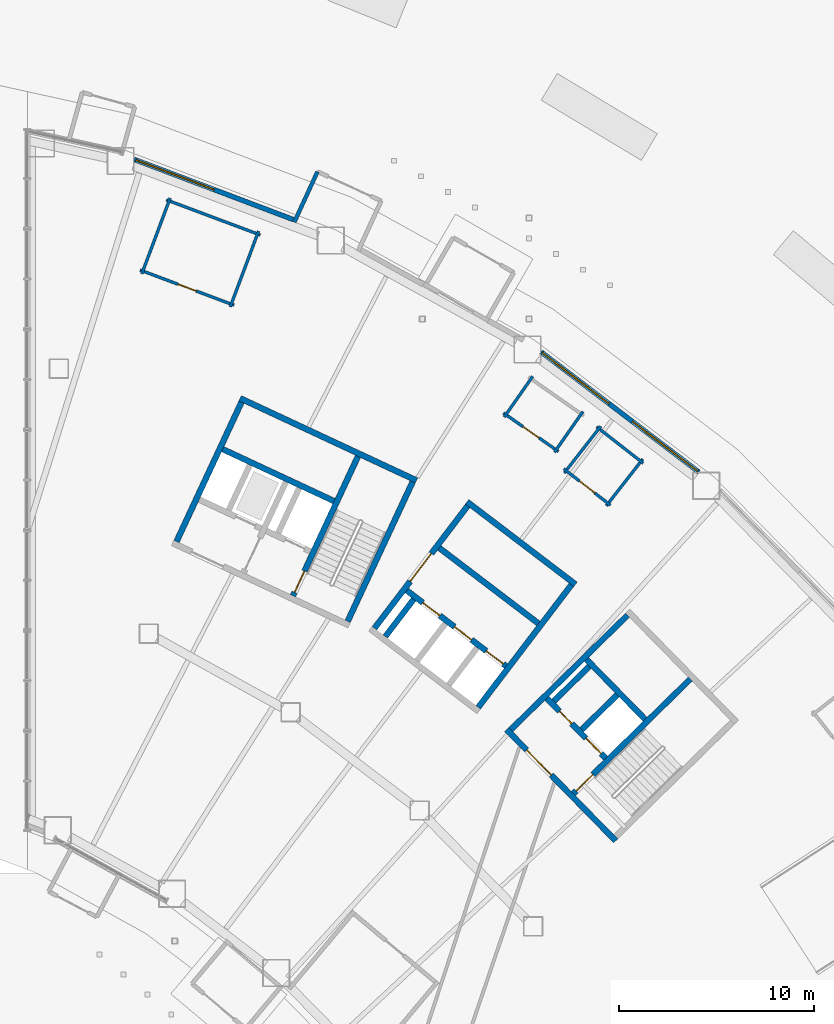
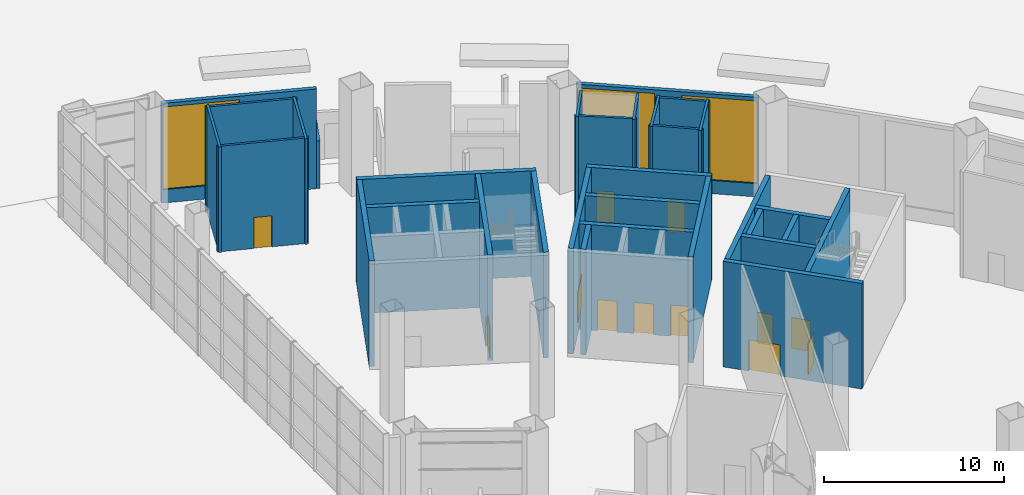
# One storey, part 34 of 45: 32 walls, 12 doors, 3 windows, 15 openings.
"""IFC4 building model written with IfcOpenShell, lengths in metres."""

import ifcopenshell
import ifcopenshell.guid

model = None  # the IFC model being written
_history = None  # IfcOwnerHistory: only IFC2X3 demands one
_inside = {}  # id of a spatial element -> (the spatial element, [elements in it])
_under = {}  # id of a project, library or spatial element -> (it, [spatial elements below it])
_declared = {}  # id of a project -> (the project, [libraries it declares])
_typed = {}  # id of a type object -> (the type object, [elements of that type])
_made_of = {}  # id of a material, layer set ... -> (it, [elements and type objects made of it])


def new_model(schema):
    """Start an empty IFC model of exactly this schema.

    Asked for "IFC4X3", IfcOpenShell would pick the latest addendum, in which some entities
    have other attributes; the version numbers below select the first issue.
    IFC2X3 requires an IfcOwnerHistory on every rooted entity: one is made here for all.
    """
    global model, _history
    if schema == "IFC4X3":
        model = ifcopenshell.file(schema_version=(4, 3, 0, 0))
    else:
        model = ifcopenshell.file(schema=schema)
    _inside.clear()
    _under.clear()
    _declared.clear()
    _typed.clear()
    _made_of.clear()
    _history = None
    if model.schema == "IFC2X3":
        org = make("IfcOrganization", Name="unknown")
        user = make(
            "IfcPersonAndOrganization",
            ThePerson=make("IfcPerson", FamilyName="unknown"),
            TheOrganization=org,
        )
        app = make(
            "IfcApplication",
            ApplicationDeveloper=org,
            Version="unknown",
            ApplicationFullName="unknown",
            ApplicationIdentifier="unknown",
        )
        _history = make(
            "IfcOwnerHistory",
            OwningUser=user,
            OwningApplication=app,
            ChangeAction="ADDED",
            CreationDate=0,
        )
    return model


def make(cls, **values):
    """One entity of the class cls with the attributes given. An attribute that is None is left unset."""
    return model.create_entity(
        cls, **{name: value for name, value in values.items() if value is not None}
    )


def rooted(cls, **values):
    """An entity with a GlobalId (a new one), such as an element, a storey or a relation."""
    return make(cls, GlobalId=ifcopenshell.guid.new(), OwnerHistory=_history, **values)


def si_unit(unit_type, name, prefix=None):
    """IfcSIUnit, for example si_unit("LENGTHUNIT", "METRE", prefix="MILLI")."""
    return make("IfcSIUnit", UnitType=unit_type, Prefix=prefix, Name=name)


def assignment(units):
    """IfcUnitAssignment: the units of a project."""
    return None if units is None else make("IfcUnitAssignment", Units=units)


def point(xyz):
    """IfcCartesianPoint."""
    return None if xyz is None else make("IfcCartesianPoint", Coordinates=xyz)


def direction(xyz):
    """IfcDirection."""
    return None if xyz is None else make("IfcDirection", DirectionRatios=xyz)


def frame(location, z_axis=None, x_axis=None):
    """IfcAxis2Placement3D, a coordinate frame: its origin and axes. An axis left out is left unset."""
    return make(
        "IfcAxis2Placement3D",
        Location=point(location),
        Axis=direction(z_axis),
        RefDirection=direction(x_axis),
    )


def frame_2d(location, x_axis=None):
    """IfcAxis2Placement2D, a coordinate frame in the plane: its origin and x axis."""
    return make(
        "IfcAxis2Placement2D", Location=point(location), RefDirection=direction(x_axis)
    )


def origin():
    """The frame at (0, 0, 0) with its axes left unset."""
    return frame((0.0, 0.0, 0.0))


def place(relative_to, where):
    """IfcLocalPlacement: puts the frame where relative to a parent placement (None: the world)."""
    return make(
        "IfcLocalPlacement", PlacementRelTo=relative_to, RelativePlacement=where
    )


def context(
    kind, dimensions, precision=None, world=None, true_north=None, identifier=None
):
    """IfcGeometricRepresentationContext, for example the 3D "Model" context."""
    return make(
        "IfcGeometricRepresentationContext",
        ContextIdentifier=identifier,
        ContextType=kind,
        CoordinateSpaceDimension=dimensions,
        Precision=precision,
        WorldCoordinateSystem=world,
        TrueNorth=true_north,
    )


def subcontext(parent, identifier, kind, view, scale=None):
    """IfcGeometricRepresentationSubContext, for example "Body" below "Model"."""
    return make(
        "IfcGeometricRepresentationSubContext",
        ContextIdentifier=identifier,
        ContextType=kind,
        ParentContext=parent,
        TargetScale=scale,
        TargetView=view,
    )


def project(units=None, contexts=None):
    """IfcProject with its units and contexts."""
    return rooted(
        "IfcProject",
        Name="project",
        RepresentationContexts=contexts,
        UnitsInContext=assignment(units),
    )


def spatial(cls, under=None, at=None, **own):
    """A site, building, storey or space (cls), placed at a placement, below another one or the project."""
    s = rooted(cls, ObjectPlacement=at, **own)
    if under is not None:
        _under.setdefault(under.id(), (under, []))[1].append(s)
    return s


def profile(cls, at=None, kind="AREA", **sizes):
    """A parametric profile (cls). Its sizes go by their IFC names, for example OverallWidth=200.0."""
    return make(cls, ProfileType=kind, Position=at, **sizes)


def rectangle(**sizes):
    """IfcRectangleProfileDef."""
    return profile("IfcRectangleProfileDef", **sizes)


def extrude(swept, where, along, depth):
    """IfcExtrudedAreaSolid: the profile swept, set in the frame where, extruded along a direction by depth."""
    return make(
        "IfcExtrudedAreaSolid",
        SweptArea=swept,
        Position=where,
        ExtrudedDirection=direction(along),
        Depth=depth,
    )


def shape(context_of_items, identifier, shape_type, items):
    """IfcShapeRepresentation: the items that make up one representation, for example the "Body"."""
    return make(
        "IfcShapeRepresentation",
        ContextOfItems=context_of_items,
        RepresentationIdentifier=identifier,
        RepresentationType=shape_type,
        Items=items,
    )


def material(Name=None, Category=None):
    """IfcMaterial."""
    return make("IfcMaterial", Name=Name, Category=Category)


def layer(
    of_material, thickness, ventilated=None, Name=None, Category=None, Priority=None
):
    """IfcMaterialLayer: one layer of a wall or slab, of a material (None: an air gap)."""
    return make(
        "IfcMaterialLayer",
        Material=of_material,
        LayerThickness=thickness,
        IsVentilated=ventilated,
        Name=Name,
        Category=Category,
        Priority=Priority,
    )


def layer_set(layers, Name=None):
    """IfcMaterialLayerSet."""
    return make("IfcMaterialLayerSet", MaterialLayers=layers, LayerSetName=Name)


def made_of(thing, what):
    """Note that an element or type object is made of a material, layer set ...; save() writes the relation."""
    if what is not None:
        _made_of.setdefault(what.id(), (what, []))[1].append(thing)
    return thing


def type_object(cls, material=None, **own):
    """A type object (cls), such as IfcWallType, which elements share."""
    return made_of(rooted(cls, **own), material)


def element(
    cls,
    number,
    at=None,
    inside=None,
    cuts=None,
    type_object=None,
    material=None,
    context=None,
    identifier="Body",
    shape_type=None,
    held_by="IfcProductDefinitionShape",
    body=None,
    shapes=None,
    **own,
):
    """One element of the class cls, such as IfcWall. Its Tag is "e" and its number.

    at: its placement. inside: the storey or other place that contains it. cuts: it is an
    opening in that element (IfcRelVoidsElement). A single representation is given by context,
    identifier, shape_type and body (its items); several are given by shapes. held_by: the class
    of the entity that holds the representations. save() writes the other relations.
    """
    e = rooted(cls, Tag="e%d" % number, ObjectPlacement=at, **own)
    if body is not None:
        shapes = [shape(context, identifier, shape_type, body)]
    if shapes is not None:
        e.Representation = make(held_by, Representations=shapes)
    if inside is not None:
        _inside.setdefault(inside.id(), (inside, []))[1].append(e)
    if cuts is not None:
        rooted(
            "IfcRelVoidsElement", RelatingBuildingElement=cuts, RelatedOpeningElement=e
        )
    if type_object is not None:
        _typed.setdefault(type_object.id(), (type_object, []))[1].append(e)
    return made_of(e, material)


def fill(opening, filler):
    """IfcRelFillsElement: the door or window that sits in an opening."""
    return rooted(
        "IfcRelFillsElement",
        RelatingOpeningElement=opening,
        RelatedBuildingElement=filler,
    )


def aggregate(whole, parts):
    """IfcRelAggregates: a whole, such as a stair, and the parts it consists of."""
    return rooted("IfcRelAggregates", RelatingObject=whole, RelatedObjects=parts)


def save(model, path):
    """Write the relations noted so far, then the file.

    IfcRelAggregates (storeys below a building ...), IfcRelContainedInSpatialStructure (elements
    in a storey), IfcRelDefinesByType, IfcRelAssociatesMaterial and IfcRelDeclares: one each for
    every whole, place, type object, material and project.
    """
    for whole, parts in _under.values():
        aggregate(whole, parts)
    for where, things in _inside.values():
        rooted(
            "IfcRelContainedInSpatialStructure",
            RelatedElements=things,
            RelatingStructure=where,
        )
    for kind, things in _typed.values():
        rooted("IfcRelDefinesByType", RelatedObjects=things, RelatingType=kind)
    for what, things in _made_of.values():
        rooted("IfcRelAssociatesMaterial", RelatedObjects=things, RelatingMaterial=what)
    for by, libraries in _declared.values():
        rooted("IfcRelDeclares", RelatingContext=by, RelatedDefinitions=libraries)
    model.write(path)


model = new_model("IFC4")

# Units and contexts
model_context = context("Model", 3, precision=1e-05, world=origin(), true_north=direction((0.0, 1.0)))
body_context = subcontext(model_context, "Body", "Model", "MODEL_VIEW")
ifc_project = project(units=[si_unit("LENGTHUNIT", "METRE"), si_unit("AREAUNIT", "SQUARE_METRE"), si_unit("VOLUMEUNIT", "CUBIC_METRE"), si_unit("PLANEANGLEUNIT", "RADIAN"), si_unit("MASSUNIT", "GRAM", prefix="KILO")], contexts=[model_context])

# Site, building, storey
site_placement = place(None, origin())
site = spatial("IfcSite", under=ifc_project, at=site_placement, CompositionType="ELEMENT")
building_placement = place(site_placement, origin())
building = spatial("IfcBuilding", under=site, at=building_placement, Name="Tuul Gate Civic Tower", CompositionType="ELEMENT")
storey_placement = place(building_placement, origin())
storey = spatial("IfcBuildingStorey", under=building, at=storey_placement, Name="Level 00", CompositionType="ELEMENT", Elevation=0.0)

# Wall, opening, door
ifc_material_1 = material(Name="Concrete C50/60", Category="concrete")
ifc_layer_1 = layer(ifc_material_1, 0.300048828125)
ifc_layer_set_1 = layer_set([ifc_layer_1], Name="Concrete C50/60")
wall_type_1 = type_object("IfcWallType", Name="Core wall C50/60", PredefinedType="SHEAR", material=ifc_layer_set_1)
wall_1_placement = place(storey_placement, frame((48.22509765625, -18.327880859375, 0.0), z_axis=(0.0, 0.0, 1.0), x_axis=(-0.700021979774, 0.714121297703, 0.0)))
wall_1 = element("IfcWall", 1, at=wall_1_placement, inside=storey, type_object=wall_type_1, Name="Core wall", PredefinedType="SHEAR", context=body_context, shape_type="SweptSolid", body=[
    extrude(rectangle(XDim=8.0, YDim=0.300048828125, at=frame_2d((4.0, 0.0))), origin(), (0.0, 0.0, 1.0), 7.14990234375),
])
opening_1_placement = place(wall_1_placement, frame((4.72509765625, 0.0, 0.0)))
opening_1 = element("IfcOpeningElement", 2, at=opening_1_placement, cuts=wall_1, Name="Opening LB-E1-LOBBY-1", PredefinedType="OPENING", context=body_context, shape_type="SweptSolid", body=[
    extrude(rectangle(XDim=1.800048828125, YDim=2.10009765625, at=frame_2d((0.89990234375, 1.050048828125))), frame((0.0, 0.16015625, 0.0), z_axis=(0.0, -1.0, 0.0), x_axis=(1.0, 0.0, 0.0)), (0.0, 0.0, 1.0), 0.320068359375),
])
ifc_material_2 = material(Name="Steel", Category="steel")
door_type_1 = type_object("IfcDoorType", Name="Lobby door", OperationType="DOUBLE_DOOR_SINGLE_SWING", PredefinedType="DOOR", material=ifc_material_2)
door_1_placement = place(opening_1_placement, origin())
door_1 = element("IfcDoor", 3, at=door_1_placement, inside=storey, type_object=door_type_1, Name="Lobby door E1-LOBBY", OperationType="DOUBLE_DOOR_SINGLE_SWING", OverallHeight=2.10009765625, OverallWidth=1.800048828125, PredefinedType="DOOR", context=body_context, shape_type="SweptSolid", body=[
    extrude(rectangle(XDim=1.800048828125, YDim=2.10009765625, at=frame_2d((0.89990234375, 1.050048828125))), frame((0.0, 0.02490234375, 0.0), z_axis=(0.0, -1.0, 0.0), x_axis=(1.0, 0.0, 0.0)), (0.0, 0.0, 1.0), 0.050048828125),
])
fill(opening_1, door_1)

# Wall, openings, doors
wall_2_placement = place(storey_placement, frame((47.701904296875, -14.079833984375, 0.0), z_axis=(0.0, 0.0, 1.0), x_axis=(-0.700002721075, 0.714140175657, 0.0)))
wall_2 = element("IfcWall", 4, at=wall_2_placement, inside=storey, type_object=wall_type_1, Name="Core wall", PredefinedType="SHEAR", context=body_context, shape_type="SweptSolid", body=[
    extrude(rectangle(XDim=4.300048828125, YDim=0.300048828125, at=frame_2d((2.14990234375, 0.0))), origin(), (0.0, 0.0, 1.0), 7.14990234375),
])
opening_2_placement = place(wall_2_placement, frame((0.324951171875, 0.0, 0.0)))
opening_2 = element("IfcOpeningElement", 5, at=opening_2_placement, cuts=wall_2, Name="Opening LD-L4", PredefinedType="OPENING", context=body_context, shape_type="SweptSolid", body=[
    extrude(rectangle(XDim=1.10009765625, YDim=2.10009765625, at=frame_2d((0.550048828125, 1.050048828125))), frame((0.0, 0.16015625, 0.0), z_axis=(0.0, -1.0, 0.0), x_axis=(1.0, 0.0, 0.0)), (0.0, 0.0, 1.0), 0.320068359375),
])
opening_3_placement = place(wall_2_placement, frame((2.47509765625, 0.0, 0.0)))
opening_3 = element("IfcOpeningElement", 6, at=opening_3_placement, cuts=wall_2, Name="Opening FB-E1A2", PredefinedType="OPENING", context=body_context, shape_type="SweptSolid", body=[
    extrude(rectangle(XDim=0.89990234375, YDim=2.10009765625, at=frame_2d((0.449951171875, 1.050048828125))), frame((0.0, 0.16015625, 0.0), z_axis=(0.0, -1.0, 0.0), x_axis=(1.0, 0.0, 0.0)), (0.0, 0.0, 1.0), 0.320068359375),
])
ifc_material_3 = material(Name="Stainless steel", Category="steel")
door_type_2 = type_object("IfcDoorType", Name="Landing door", OperationType="DOUBLE_DOOR_SLIDING", PredefinedType="DOOR", material=ifc_material_3)
door_2_placement = place(opening_2_placement, origin())
door_2 = element("IfcDoor", 7, at=door_2_placement, inside=storey, type_object=door_type_2, Name="Low-rise lift L4 landing door", OperationType="DOUBLE_DOOR_SLIDING", OverallHeight=2.10009765625, OverallWidth=1.10009765625, PredefinedType="DOOR", context=body_context, shape_type="SweptSolid", body=[
    extrude(rectangle(XDim=1.10009765625, YDim=2.10009765625, at=frame_2d((0.550048828125, 1.050048828125))), frame((0.0, 0.02490234375, 0.0), z_axis=(0.0, -1.0, 0.0), x_axis=(1.0, 0.0, 0.0)), (0.0, 0.0, 1.0), 0.050048828125),
])
fill(opening_2, door_2)
ifc_material_4 = material(Name="Steel", Category="steel")
door_type_3 = type_object("IfcDoorType", Name="Store door", OperationType="NOTDEFINED", PredefinedType="DOOR", material=ifc_material_4)
door_3_placement = place(opening_3_placement, frame((0.89990234375, 0.0, 0.0), z_axis=(0.0, 0.0, 1.0), x_axis=(-1.0, 0.0, 0.0)))
door_3 = element("IfcDoor", 8, at=door_3_placement, inside=storey, type_object=door_type_3, Name="Store door E1A2", OperationType="SINGLE_SWING_LEFT", OverallHeight=2.10009765625, OverallWidth=0.89990234375, PredefinedType="DOOR", context=body_context, shape_type="SweptSolid", body=[
    extrude(rectangle(XDim=0.89990234375, YDim=2.10009765625, at=frame_2d((0.449951171875, 1.050048828125))), frame((0.0, 0.02490234375, 0.0), z_axis=(0.0, -1.0, 0.0), x_axis=(1.0, 0.0, 0.0)), (0.0, 0.0, 1.0), 0.050048828125),
])
fill(opening_3, door_3)

# Wall
wall_3_placement = place(storey_placement, frame((49.737060546875, -12.0849609375, 0.0), z_axis=(0.0, 0.0, 1.0), x_axis=(-0.700002721075, 0.714140175657, 0.0)))
element("IfcWall", 9, at=wall_3_placement, inside=storey, type_object=wall_type_1, Name="Core wall", PredefinedType="SHEAR", context=body_context, shape_type="SweptSolid", body=[
    extrude(rectangle(XDim=4.300048828125, YDim=0.300048828125, at=frame_2d((2.14990234375, 0.0))), origin(), (0.0, 0.0, 1.0), 7.14990234375),
])

# Wall, opening, door
wall_4_placement = place(storey_placement, frame((46.05712890625, -15.902099609375, 0.0), z_axis=(0.0, 0.0, 1.0), x_axis=(0.714134086973, 0.700008932674, 0.0)))
wall_4 = element("IfcWall", 10, at=wall_4_placement, inside=storey, type_object=wall_type_1, Name="Core wall", PredefinedType="SHEAR", context=body_context, shape_type="SweptSolid", body=[
    extrude(rectangle(XDim=8.400146484375, YDim=0.300048828125, at=frame_2d((4.2001953125, 0.0))), origin(), (0.0, 0.0, 1.0), 7.14990234375),
])
opening_4_placement = place(wall_4_placement, frame((0.199951171875, 0.0, 0.0)))
opening_4 = element("IfcOpeningElement", 11, at=opening_4_placement, cuts=wall_4, Name="Opening SD-ST-3", PredefinedType="OPENING", context=body_context, shape_type="SweptSolid", body=[
    extrude(rectangle(XDim=1.199951171875, YDim=2.10009765625, at=frame_2d((0.60009765625, 1.050048828125))), frame((0.0, 0.16015625, 0.0), z_axis=(0.0, -1.0, 0.0), x_axis=(1.0, 0.0, 0.0)), (0.0, 0.0, 1.0), 0.320068359375),
])
ifc_material_5 = material(Name="Steel", Category="steel")
door_type_4 = type_object("IfcDoorType", Name="Stair door", OperationType="NOTDEFINED", PredefinedType="DOOR", material=ifc_material_5)
door_4_placement = place(opening_4_placement, origin())
door_4 = element("IfcDoor", 12, at=door_4_placement, inside=storey, type_object=door_type_4, Name="Stair door ST-3", OperationType="SINGLE_SWING_LEFT", OverallHeight=2.10009765625, OverallWidth=1.199951171875, PredefinedType="DOOR", context=body_context, shape_type="SweptSolid", body=[
    extrude(rectangle(XDim=1.199951171875, YDim=2.10009765625, at=frame_2d((0.60009765625, 1.050048828125))), frame((0.0, 0.02490234375, 0.0), z_axis=(0.0, -1.0, 0.0), x_axis=(1.0, 0.0, 0.0)), (0.0, 0.0, 1.0), 0.050048828125),
])
fill(opening_4, door_4)

# Walls
wall_5_placement = place(storey_placement, frame((46.47900390625, -12.617919921875, 0.0), z_axis=(0.0, 0.0, 1.0), x_axis=(0.71410944159, 0.700034074479, 0.0)))
element("IfcWall", 13, at=wall_5_placement, inside=storey, type_object=wall_type_1, Name="Core wall", PredefinedType="SHEAR", context=body_context, shape_type="SweptSolid", body=[
    extrude(rectangle(XDim=2.5498046875, YDim=0.300048828125, at=frame_2d((1.27490234375, 0.0))), origin(), (0.0, 0.0, 1.0), 7.14990234375),
])
wall_6_placement = place(storey_placement, frame((45.0439453125, -11.154052734375, 0.0), z_axis=(0.0, 0.0, 1.0), x_axis=(0.714108498262, 0.700035036773, 0.0)))
element("IfcWall", 14, at=wall_6_placement, inside=storey, type_object=wall_type_1, Name="Core wall", PredefinedType="SHEAR", context=body_context, shape_type="SweptSolid", body=[
    extrude(rectangle(XDim=2.550048828125, YDim=0.300048828125, at=frame_2d((1.27490234375, 0.0))), origin(), (0.0, 0.0, 1.0), 7.14990234375),
])
wall_7_placement = place(storey_placement, frame((42.837158203125, -12.616943359375, 0.0), z_axis=(0.0, 0.0, 1.0), x_axis=(0.714119844755, 0.700023461983, 0.0)))
element("IfcWall", 15, at=wall_7_placement, inside=storey, type_object=wall_type_1, Name="Core wall", PredefinedType="SHEAR", context=body_context, shape_type="SweptSolid", body=[
    extrude(rectangle(XDim=8.39990234375, YDim=0.300048828125, at=frame_2d((4.199951171875, 0.0))), origin(), (0.0, 0.0, 1.0), 7.14990234375),
])
wall_8_placement = place(storey_placement, frame((33.75, -0.873779296875, 0.0), z_axis=(0.0, 0.0, 1.0), x_axis=(-0.906300917592, 0.422632992999, 0.0)))
element("IfcWall", 16, at=wall_8_placement, inside=storey, type_object=wall_type_1, Name="Core wall", PredefinedType="SHEAR", context=body_context, shape_type="SweptSolid", body=[
    extrude(rectangle(XDim=6.300048828125, YDim=0.300048828125, at=frame_2d((3.14990234375, 0.0))), origin(), (0.0, 0.0, 1.0), 7.14990234375),
])
wall_9_placement = place(storey_placement, frame((37.993408203125, 0.181884765625, 0.0), z_axis=(0.0, 0.0, 1.0), x_axis=(-0.906310338845, 0.422612789327, 0.0)))
element("IfcWall", 17, at=wall_9_placement, inside=storey, type_object=wall_type_1, Name="Core wall", PredefinedType="SHEAR", context=body_context, shape_type="SweptSolid", body=[
    extrude(rectangle(XDim=9.999755859375, YDim=0.300048828125, at=frame_2d((5.0, 0.0))), origin(), (0.0, 0.0, 1.0), 7.14990234375),
])
wall_10_placement = place(storey_placement, frame((34.455810546875, -7.05078125, 0.0), z_axis=(0.0, 0.0, 1.0), x_axis=(0.422570768258, 0.906329932096, 0.0)))
element("IfcWall", 18, at=wall_10_placement, inside=storey, type_object=wall_type_1, Name="Core wall", PredefinedType="SHEAR", context=body_context, shape_type="SweptSolid", body=[
    extrude(rectangle(XDim=7.900146484375, YDim=0.300048828125, at=frame_2d((3.9501953125, 0.0))), origin(), (0.0, 0.0, 1.0), 7.14990234375),
])

# Wall, opening, door
wall_11_placement = place(storey_placement, frame((31.646240234375, -5.740478515625, 0.0), z_axis=(0.0, 0.0, 1.0), x_axis=(0.422582604137, 0.906324413596, 0.0)))
wall_11 = element("IfcWall", 19, at=wall_11_placement, inside=storey, type_object=wall_type_1, Name="Core wall", PredefinedType="SHEAR", context=body_context, shape_type="SweptSolid", body=[
    extrude(rectangle(XDim=7.89990234375, YDim=0.300048828125, at=frame_2d((3.949951171875, 0.0))), origin(), (0.0, 0.0, 1.0), 7.14990234375),
])
opening_5_placement = place(wall_11_placement, frame((0.199951171875, 0.0, 0.0)))
opening_5 = element("IfcOpeningElement", 20, at=opening_5_placement, cuts=wall_11, Name="Opening SD-ST-4", PredefinedType="OPENING", context=body_context, shape_type="SweptSolid", body=[
    extrude(rectangle(XDim=1.199951171875, YDim=2.10009765625, at=frame_2d((0.60009765625, 1.050048828125))), frame((0.0, 0.16015625, 0.0), z_axis=(0.0, -1.0, 0.0), x_axis=(1.0, 0.0, 0.0)), (0.0, 0.0, 1.0), 0.320068359375),
])
door_5_placement = place(opening_5_placement, origin())
door_5 = element("IfcDoor", 21, at=door_5_placement, inside=storey, type_object=door_type_4, Name="Stair door ST-4", OperationType="SINGLE_SWING_LEFT", OverallHeight=2.10009765625, OverallWidth=1.199951171875, PredefinedType="DOOR", context=body_context, shape_type="SweptSolid", body=[
    extrude(rectangle(XDim=1.199951171875, YDim=2.10009765625, at=frame_2d((0.60009765625, 1.050048828125))), frame((0.0, 0.02490234375, 0.0), z_axis=(0.0, -1.0, 0.0), x_axis=(1.0, 0.0, 0.0)), (0.0, 0.0, 1.0), 0.050048828125),
])
fill(opening_5, door_5)

# Walls
wall_12_placement = place(storey_placement, frame((25.66455078125, -2.951416015625, 0.0), z_axis=(0.0, 0.0, 1.0), x_axis=(0.422582604137, 0.906324413596, 0.0)))
element("IfcWall", 22, at=wall_12_placement, inside=storey, type_object=wall_type_1, Name="Core wall", PredefinedType="SHEAR", context=body_context, shape_type="SweptSolid", body=[
    extrude(rectangle(XDim=7.89990234375, YDim=0.300048828125, at=frame_2d((3.949951171875, 0.0))), origin(), (0.0, 0.0, 1.0), 7.14990234375),
])
ifc_material_6 = material(Name="Fire-rated glazed steel S355", Category="steel")
ifc_layer_2 = layer(ifc_material_6, 0.199951171875)
ifc_layer_set_2 = layer_set([ifc_layer_2], Name="Fire-rated glazed steel S355")
wall_type_2 = type_object("IfcWallType", Name="Exit lobby wall", PredefinedType="SOLIDWALL", material=ifc_layer_set_2)
wall_13_placement = place(storey_placement, frame((31.715087890625, 13.45263671875, 0.0), z_axis=(0.0, 0.0, 1.0), x_axis=(0.416916563841, 0.908944761135, 0.0)))
element("IfcWall", 23, at=wall_13_placement, inside=storey, type_object=wall_type_2, Name="Exit lobby wall", PredefinedType="SOLIDWALL", context=body_context, shape_type="SweptSolid", body=[
    extrude(rectangle(XDim=2.857177734375, YDim=0.199951171875, at=frame_2d((1.4287109375, 0.0))), origin(), (0.0, 0.0, 1.0), 3.199951171875),
])

# Wall, openings, windows
ifc_material_7 = material(Name="Precast concrete C40/50", Category="concrete")
ifc_layer_3 = layer(ifc_material_7, 0.25)
ifc_layer_set_3 = layer_set([ifc_layer_3], Name="Precast concrete C40/50")
wall_type_3 = type_object("IfcWallType", Name="External wall", PredefinedType="STANDARD", material=ifc_layer_set_3)
wall_14_placement = place(storey_placement, frame((52.495361328125, 0.617919921875, 0.0), z_axis=(0.0, 0.0, 1.0), x_axis=(-0.795598395873, 0.605824390796, 0.0)))
wall_14 = element("IfcWall", 24, at=wall_14_placement, inside=storey, type_object=wall_type_3, Name="External wall", PredefinedType="STANDARD", context=body_context, shape_type="SweptSolid", body=[
    extrude(rectangle(XDim=10.186279296875, YDim=0.25, at=frame_2d((5.09326171875, 0.0))), origin(), (0.0, 0.0, 1.0), 6.75),
])
opening_6_placement = place(wall_14_placement, frame((0.0849609375, 0.0, 0.89990234375)))
opening_6 = element("IfcOpeningElement", 25, at=opening_6_placement, cuts=wall_14, Name="Opening W82", PredefinedType="OPENING", context=body_context, shape_type="SweptSolid", body=[
    extrude(rectangle(XDim=4.199951171875, YDim=5.60009765625, at=frame_2d((2.10009765625, 2.800048828125))), frame((0.0, 0.135009765625, 0.0), z_axis=(0.0, -1.0, 0.0), x_axis=(1.0, 0.0, 0.0)), (0.0, 0.0, 1.0), 0.27001953125),
])
opening_7_placement = place(wall_14_placement, frame((5.797607421875, 0.0, 0.89990234375)))
opening_7 = element("IfcOpeningElement", 26, at=opening_7_placement, cuts=wall_14, Name="Opening W6", PredefinedType="OPENING", context=body_context, shape_type="SweptSolid", body=[
    extrude(rectangle(XDim=4.300048828125, YDim=5.60009765625, at=frame_2d((2.14990234375, 2.800048828125))), frame((0.0, 0.135009765625, 0.0), z_axis=(0.0, -1.0, 0.0), x_axis=(1.0, 0.0, 0.0)), (0.0, 0.0, 1.0), 0.27001953125),
])
ifc_material_8 = material(Name="Glass", Category="glass")
window_type_1 = type_object("IfcWindowType", Name="Window W6 4300 x 5600", PartitioningType="SINGLE_PANEL", PredefinedType="WINDOW", material=ifc_material_8)
window_1_placement = place(opening_7_placement, origin())
window_1 = element("IfcWindow", 27, at=window_1_placement, inside=storey, type_object=window_type_1, Name="Window", OverallHeight=5.60009765625, OverallWidth=4.300048828125, PartitioningType="SINGLE_PANEL", PredefinedType="WINDOW", context=body_context, shape_type="SweptSolid", body=[
    extrude(rectangle(XDim=4.300048828125, YDim=5.60009765625, at=frame_2d((2.14990234375, 2.800048828125))), frame((0.0, 0.030029296875, 0.0), z_axis=(0.0, -1.0, 0.0), x_axis=(1.0, 0.0, 0.0)), (0.0, 0.0, 1.0), 0.06005859375),
])
fill(opening_7, window_1)
ifc_material_9 = material(Name="Glass", Category="glass")
window_type_2 = type_object("IfcWindowType", Name="Window W82 4200 x 5600", PartitioningType="SINGLE_PANEL", PredefinedType="WINDOW", material=ifc_material_9)
window_2_placement = place(opening_6_placement, origin())
window_2 = element("IfcWindow", 28, at=window_2_placement, inside=storey, type_object=window_type_2, Name="Window", OverallHeight=5.60009765625, OverallWidth=4.199951171875, PartitioningType="SINGLE_PANEL", PredefinedType="WINDOW", context=body_context, shape_type="SweptSolid", body=[
    extrude(rectangle(XDim=4.199951171875, YDim=5.60009765625, at=frame_2d((2.10009765625, 2.800048828125))), frame((0.0, 0.030029296875, 0.0), z_axis=(0.0, -1.0, 0.0), x_axis=(1.0, 0.0, 0.0)), (0.0, 0.0, 1.0), 0.06005859375),
])
fill(opening_6, window_2)

# Wall, opening, window
wall_15_placement = place(storey_placement, frame((31.659912109375, 13.5888671875, 0.0), z_axis=(0.0, 0.0, 1.0), x_axis=(-0.935360517412, 0.353695776715, 0.0)))
wall_15 = element("IfcWall", 29, at=wall_15_placement, inside=storey, type_object=wall_type_3, Name="External wall", PredefinedType="STANDARD", context=body_context, shape_type="SweptSolid", body=[
    extrude(rectangle(XDim=8.732421875, YDim=0.25, at=frame_2d((4.3662109375, 0.0))), origin(), (0.0, 0.0, 1.0), 6.75),
])
opening_8_placement = place(wall_15_placement, frame((4.337158203125, 0.0, 0.89990234375)))
opening_8 = element("IfcOpeningElement", 30, at=opening_8_placement, cuts=wall_15, Name="Opening W6", PredefinedType="OPENING", context=body_context, shape_type="SweptSolid", body=[
    extrude(rectangle(XDim=4.300048828125, YDim=5.60009765625, at=frame_2d((2.14990234375, 2.800048828125))), frame((0.0, 0.135009765625, 0.0), z_axis=(0.0, -1.0, 0.0), x_axis=(1.0, 0.0, 0.0)), (0.0, 0.0, 1.0), 0.27001953125),
])
window_3_placement = place(opening_8_placement, origin())
window_3 = element("IfcWindow", 31, at=window_3_placement, inside=storey, type_object=window_type_1, Name="Window", OverallHeight=5.60009765625, OverallWidth=4.300048828125, PartitioningType="SINGLE_PANEL", PredefinedType="WINDOW", context=body_context, shape_type="SweptSolid", body=[
    extrude(rectangle(XDim=4.300048828125, YDim=5.60009765625, at=frame_2d((2.14990234375, 2.800048828125))), frame((0.0, 0.030029296875, 0.0), z_axis=(0.0, -1.0, 0.0), x_axis=(1.0, 0.0, 0.0)), (0.0, 0.0, 1.0), 0.06005859375),
])
fill(opening_8, window_3)

# Wall, opening, door
ifc_material_10 = material(Name="Concrete block", Category="concrete")
ifc_layer_4 = layer(ifc_material_10, 0.14990234375)
ifc_layer_set_4 = layer_set([ifc_layer_4], Name="Concrete block")
wall_type_4 = type_object("IfcWallType", Name="Ground floor room wall", PredefinedType="PARTITIONING", material=ifc_layer_set_4)
wall_16_placement = place(storey_placement, frame((28.6181640625, 9.18994140625, 0.0), z_axis=(0.0, 0.0, 1.0), x_axis=(-0.936681322917, 0.350182951181, 0.0)))
wall_16 = element("IfcWall", 32, at=wall_16_placement, inside=storey, type_object=wall_type_4, Name="Room wall", PredefinedType="PARTITIONING", context=body_context, shape_type="SweptSolid", body=[
    extrude(rectangle(XDim=5.150146484375, YDim=0.14990234375, at=frame_2d((2.5751953125, 0.0))), origin(), (0.0, 0.0, 1.0), 7.14990234375),
])
opening_9_placement = place(wall_16_placement, frame((2.074951171875, 0.0, 0.0)))
opening_9 = element("IfcOpeningElement", 33, at=opening_9_placement, cuts=wall_16, Name="Opening GD", PredefinedType="OPENING", context=body_context, shape_type="SweptSolid", body=[
    extrude(rectangle(XDim=1.0, YDim=2.10009765625, at=frame_2d((0.5, 1.050048828125))), frame((0.0, 0.0849609375, 0.0), z_axis=(0.0, -1.0, 0.0), x_axis=(1.0, 0.0, 0.0)), (0.0, 0.0, 1.0), 0.169921875),
])
ifc_material_11 = material(Name="Timber", Category="wood")
door_type_5 = type_object("IfcDoorType", Name="Ground floor room door", OperationType="NOTDEFINED", PredefinedType="DOOR", material=ifc_material_11)
door_6_placement = place(opening_9_placement, frame((1.0, 0.0, 0.0), z_axis=(0.0, 0.0, 1.0), x_axis=(-1.0, 0.0, 0.0)))
door_6 = element("IfcDoor", 34, at=door_6_placement, inside=storey, type_object=door_type_5, Name="Cloakroom door", OperationType="SINGLE_SWING_RIGHT", OverallHeight=2.10009765625, OverallWidth=1.0, PredefinedType="DOOR", context=body_context, shape_type="SweptSolid", body=[
    extrude(rectangle(XDim=1.0, YDim=2.10009765625, at=frame_2d((0.5, 1.050048828125))), frame((0.0, 0.02490234375, 0.0), z_axis=(0.0, -1.0, 0.0), x_axis=(1.0, 0.0, 0.0)), (0.0, 0.0, 1.0), 0.050048828125),
])
fill(opening_9, door_6)

# Walls
wall_17_placement = place(storey_placement, frame((23.88232421875, 10.800537109375, 0.0), z_axis=(0.0, 0.0, 1.0), x_axis=(0.350207801046, 0.936672032296, 0.0)))
element("IfcWall", 35, at=wall_17_placement, inside=storey, type_object=wall_type_4, Name="Room wall", PredefinedType="PARTITIONING", context=body_context, shape_type="SweptSolid", body=[
    extrude(rectangle(XDim=4.14990234375, YDim=0.14990234375, at=frame_2d((2.074951171875, 0.0))), origin(), (0.0, 0.0, 1.0), 7.14990234375),
])
wall_18_placement = place(storey_placement, frame((25.142578125, 14.599609375, 0.0), z_axis=(0.0, 0.0, 1.0), x_axis=(0.936681322917, -0.350182951181, 0.0)))
element("IfcWall", 36, at=wall_18_placement, inside=storey, type_object=wall_type_4, Name="Room wall", PredefinedType="PARTITIONING", context=body_context, shape_type="SweptSolid", body=[
    extrude(rectangle(XDim=5.150146484375, YDim=0.14990234375, at=frame_2d((2.5751953125, 0.0))), origin(), (0.0, 0.0, 1.0), 7.14990234375),
])
wall_19_placement = place(storey_placement, frame((29.87841796875, 12.9892578125, 0.0), z_axis=(0.0, 0.0, 1.0), x_axis=(-0.350207801046, -0.936672032296, 0.0)))
element("IfcWall", 37, at=wall_19_placement, inside=storey, type_object=wall_type_4, Name="Room wall", PredefinedType="PARTITIONING", context=body_context, shape_type="SweptSolid", body=[
    extrude(rectangle(XDim=4.14990234375, YDim=0.14990234375, at=frame_2d((2.074951171875, 0.0))), origin(), (0.0, 0.0, 1.0), 7.14990234375),
])

# Wall, opening, door
wall_20_placement = place(storey_placement, frame((47.955078125, -1.089111328125, 0.0), z_axis=(0.0, 0.0, 1.0), x_axis=(-0.787970800375, 0.61571260971, 0.0)))
wall_20 = element("IfcWall", 38, at=wall_20_placement, inside=storey, type_object=wall_type_4, Name="Room wall", PredefinedType="PARTITIONING", context=body_context, shape_type="SweptSolid", body=[
    extrude(rectangle(XDim=3.0400390625, YDim=0.14990234375, at=frame_2d((1.52001953125, 0.0))), origin(), (0.0, 0.0, 1.0), 7.14990234375),
])
opening_10_placement = place(wall_20_placement, frame((1.02001953125, 0.0, 0.0)))
opening_10 = element("IfcOpeningElement", 39, at=opening_10_placement, cuts=wall_20, Name="Opening GD", PredefinedType="OPENING", context=body_context, shape_type="SweptSolid", body=[
    extrude(rectangle(XDim=1.0, YDim=2.10009765625, at=frame_2d((0.5, 1.050048828125))), frame((0.0, 0.0849609375, 0.0), z_axis=(0.0, -1.0, 0.0), x_axis=(1.0, 0.0, 0.0)), (0.0, 0.0, 1.0), 0.169921875),
])
door_7_placement = place(opening_10_placement, frame((1.0, 0.0, 0.0), z_axis=(0.0, 0.0, 1.0), x_axis=(-1.0, 0.0, 0.0)))
door_7 = element("IfcDoor", 40, at=door_7_placement, inside=storey, type_object=door_type_5, Name="Accessible WC east door", OperationType="SINGLE_SWING_RIGHT", OverallHeight=2.10009765625, OverallWidth=1.0, PredefinedType="DOOR", context=body_context, shape_type="SweptSolid", body=[
    extrude(rectangle(XDim=1.0, YDim=2.10009765625, at=frame_2d((0.5, 1.050048828125))), frame((0.0, 0.02490234375, 0.0), z_axis=(0.0, -1.0, 0.0), x_axis=(1.0, 0.0, 0.0)), (0.0, 0.0, 1.0), 0.050048828125),
])
fill(opening_10, door_7)

# Walls
for number, where, z_axis, x_axis, name in (
    (41, (45.58544921875, 0.572021484375, 0.0), (0.0, 0.0, 1.0), (0.615662743651, 0.78800976268, 0.0), "Room wall"),
    (42, (47.24658203125, 2.941650390625, 0.0), (0.0, 0.0, 1.0), (0.78800976268, -0.615662743651, 0.0), "Room wall"),
    (43, (49.6162109375, 1.280517578125, 0.0), (0.0, 0.0, 1.0), (-0.615662743651, -0.78800976268, 0.0), "Room wall"),
):
    element("IfcWall", number, at=place(storey_placement, frame(where, z_axis=z_axis, x_axis=x_axis)), inside=storey, type_object=wall_type_4, Name=name, PredefinedType="PARTITIONING", context=body_context, shape_type="SweptSolid", body=[
        extrude(rectangle(XDim=3.0400390625, YDim=0.14990234375, at=frame_2d((1.52001953125, 0.0))), origin(), (0.0, 0.0, 1.0), 7.14990234375),
    ])

# Wall, opening, door
wall_21_placement = place(storey_placement, frame((45.288330078125, 1.671142578125, 0.0), z_axis=(0.0, 0.0, 1.0), x_axis=(-0.819148794203, 0.573581077928, 0.0)))
wall_21 = element("IfcWall", 44, at=wall_21_placement, inside=storey, type_object=wall_type_4, Name="Room wall", PredefinedType="PARTITIONING", context=body_context, shape_type="SweptSolid", body=[
    extrude(rectangle(XDim=3.449951171875, YDim=0.14990234375, at=frame_2d((1.72509765625, 0.0))), origin(), (0.0, 0.0, 1.0), 7.14990234375),
])
opening_11_placement = place(wall_21_placement, frame((1.22509765625, 0.0, 0.0)))
opening_11 = element("IfcOpeningElement", 45, at=opening_11_placement, cuts=wall_21, Name="Opening GD", PredefinedType="OPENING", context=body_context, shape_type="SweptSolid", body=[
    extrude(rectangle(XDim=1.0, YDim=2.10009765625, at=frame_2d((0.5, 1.050048828125))), frame((0.0, 0.0849609375, 0.0), z_axis=(0.0, -1.0, 0.0), x_axis=(1.0, 0.0, 0.0)), (0.0, 0.0, 1.0), 0.169921875),
])
door_8_placement = place(opening_11_placement, frame((1.0, 0.0, 0.0), z_axis=(0.0, 0.0, 1.0), x_axis=(-1.0, 0.0, 0.0)))
door_8 = element("IfcDoor", 46, at=door_8_placement, inside=storey, type_object=door_type_5, Name="Cycle and pram store door", OperationType="SINGLE_SWING_RIGHT", OverallHeight=2.10009765625, OverallWidth=1.0, PredefinedType="DOOR", context=body_context, shape_type="SweptSolid", body=[
    extrude(rectangle(XDim=1.0, YDim=2.10009765625, at=frame_2d((0.5, 1.050048828125))), frame((0.0, 0.02490234375, 0.0), z_axis=(0.0, -1.0, 0.0), x_axis=(1.0, 0.0, 0.0)), (0.0, 0.0, 1.0), 0.050048828125),
])
fill(opening_11, door_8)

# Walls
wall_22_placement = place(storey_placement, frame((42.4990234375, 3.44091796875, 0.0), z_axis=(0.0, 0.0, 1.0), x_axis=(0.573642234643, 0.819105967891, 0.0)))
element("IfcWall", 47, at=wall_22_placement, inside=storey, type_object=wall_type_4, Name="Room wall", PredefinedType="PARTITIONING", context=body_context, shape_type="SweptSolid", body=[
    extrude(rectangle(XDim=2.55029296875, YDim=0.14990234375, at=frame_2d((1.275146484375, 0.0))), origin(), (0.0, 0.0, 1.0), 7.14990234375),
])
wall_23_placement = place(storey_placement, frame((46.5419921875, 3.72314453125, 0.0), z_axis=(0.0, 0.0, 1.0), x_axis=(-0.573513750053, -0.819195934133, 0.0)))
element("IfcWall", 48, at=wall_23_placement, inside=storey, type_object=wall_type_4, Name="Room wall", PredefinedType="PARTITIONING", context=body_context, shape_type="SweptSolid", body=[
    extrude(rectangle(XDim=2.5498046875, YDim=0.14990234375, at=frame_2d((1.27490234375, 0.0))), origin(), (0.0, 0.0, 1.0), 7.14990234375),
])

# Wall, openings, doors
ifc_material_12 = material(Name="Concrete C40/50", Category="concrete")
ifc_layer_5 = layer(ifc_material_12, 0.300048828125)
ifc_layer_set_5 = layer_set([ifc_layer_5], Name="Concrete C40/50")
wall_type_5 = type_object("IfcWallType", Name="Lift shaft wall C40/50", PredefinedType="STANDARD", material=ifc_layer_set_5)
wall_24_placement = place(storey_placement, frame((42.5888671875, -9.34765625, 0.0), z_axis=(0.0, 0.0, 1.0), x_axis=(-0.795584062101, 0.605843214149, 0.0)))
wall_24 = element("IfcWall", 49, at=wall_24_placement, inside=storey, type_object=wall_type_5, Name="Shaft wall", PredefinedType="STANDARD", context=body_context, shape_type="SweptSolid", body=[
    extrude(rectangle(XDim=6.400146484375, YDim=0.300048828125, at=frame_2d((3.2001953125, 0.0))), origin(), (0.0, 0.0, 1.0), 7.14990234375),
])
opening_12_placement = place(wall_24_placement, frame((0.175048828125, 0.0, 0.0)))
opening_12 = element("IfcOpeningElement", 50, at=opening_12_placement, cuts=wall_24, Name="Opening LD-L1", PredefinedType="OPENING", context=body_context, shape_type="SweptSolid", body=[
    extrude(rectangle(XDim=1.10009765625, YDim=2.10009765625, at=frame_2d((0.550048828125, 1.050048828125))), frame((0.0, 0.16015625, 0.0), z_axis=(0.0, -1.0, 0.0), x_axis=(1.0, 0.0, 0.0)), (0.0, 0.0, 1.0), 0.320068359375),
])
opening_13_placement = place(wall_24_placement, frame((2.22509765625, 0.0, 0.0)))
opening_13 = element("IfcOpeningElement", 51, at=opening_13_placement, cuts=wall_24, Name="Opening LD-L2", PredefinedType="OPENING", context=body_context, shape_type="SweptSolid", body=[
    extrude(rectangle(XDim=1.10009765625, YDim=2.10009765625, at=frame_2d((0.550048828125, 1.050048828125))), frame((0.0, 0.16015625, 0.0), z_axis=(0.0, -1.0, 0.0), x_axis=(1.0, 0.0, 0.0)), (0.0, 0.0, 1.0), 0.320068359375),
])
opening_14_placement = place(wall_24_placement, frame((4.27490234375, 0.0, 0.0)))
opening_14 = element("IfcOpeningElement", 52, at=opening_14_placement, cuts=wall_24, Name="Opening LD-L3", PredefinedType="OPENING", context=body_context, shape_type="SweptSolid", body=[
    extrude(rectangle(XDim=1.10009765625, YDim=2.10009765625, at=frame_2d((0.550048828125, 1.050048828125))), frame((0.0, 0.16015625, 0.0), z_axis=(0.0, -1.0, 0.0), x_axis=(1.0, 0.0, 0.0)), (0.0, 0.0, 1.0), 0.320068359375),
])
door_9_placement = place(opening_12_placement, origin())
door_9 = element("IfcDoor", 53, at=door_9_placement, inside=storey, type_object=door_type_2, Name="Low-rise lift L1 landing door", OperationType="DOUBLE_DOOR_SLIDING", OverallHeight=2.10009765625, OverallWidth=1.10009765625, PredefinedType="DOOR", context=body_context, shape_type="SweptSolid", body=[
    extrude(rectangle(XDim=1.10009765625, YDim=2.10009765625, at=frame_2d((0.550048828125, 1.050048828125))), frame((0.0, 0.02490234375, 0.0), z_axis=(0.0, -1.0, 0.0), x_axis=(1.0, 0.0, 0.0)), (0.0, 0.0, 1.0), 0.050048828125),
])
fill(opening_12, door_9)
door_10_placement = place(opening_13_placement, origin())
door_10 = element("IfcDoor", 54, at=door_10_placement, inside=storey, type_object=door_type_2, Name="Low-rise lift L2 landing door", OperationType="DOUBLE_DOOR_SLIDING", OverallHeight=2.10009765625, OverallWidth=1.10009765625, PredefinedType="DOOR", context=body_context, shape_type="SweptSolid", body=[
    extrude(rectangle(XDim=1.10009765625, YDim=2.10009765625, at=frame_2d((0.550048828125, 1.050048828125))), frame((0.0, 0.02490234375, 0.0), z_axis=(0.0, -1.0, 0.0), x_axis=(1.0, 0.0, 0.0)), (0.0, 0.0, 1.0), 0.050048828125),
])
fill(opening_13, door_10)
door_11_placement = place(opening_14_placement, origin())
door_11 = element("IfcDoor", 55, at=door_11_placement, inside=storey, type_object=door_type_2, Name="Low-rise lift L3 landing door", OperationType="DOUBLE_DOOR_SLIDING", OverallHeight=2.10009765625, OverallWidth=1.10009765625, PredefinedType="DOOR", context=body_context, shape_type="SweptSolid", body=[
    extrude(rectangle(XDim=1.10009765625, YDim=2.10009765625, at=frame_2d((0.550048828125, 1.050048828125))), frame((0.0, 0.02490234375, 0.0), z_axis=(0.0, -1.0, 0.0), x_axis=(1.0, 0.0, 0.0)), (0.0, 0.0, 1.0), 0.050048828125),
])
fill(opening_14, door_11)

# Walls
wall_25_placement = place(storey_placement, frame((44.254638671875, -7.15966796875, 0.0), z_axis=(0.0, 0.0, 1.0), x_axis=(-0.795565675562, 0.605867358312, 0.0)))
element("IfcWall", 56, at=wall_25_placement, inside=storey, type_object=wall_type_5, Name="Shaft wall", PredefinedType="STANDARD", context=body_context, shape_type="SweptSolid", body=[
    extrude(rectangle(XDim=6.400146484375, YDim=0.300048828125, at=frame_2d((3.2001953125, 0.0))), origin(), (0.0, 0.0, 1.0), 7.14990234375),
])
wall_26_placement = place(storey_placement, frame((46.1591796875, -5.1533203125, 0.0), z_axis=(0.0, 0.0, 1.0), x_axis=(-0.795579811045, 0.605848796531, 0.0)))
element("IfcWall", 57, at=wall_26_placement, inside=storey, type_object=wall_type_5, Name="Shaft wall", PredefinedType="STANDARD", context=body_context, shape_type="SweptSolid", body=[
    extrude(rectangle(XDim=7.0, YDim=0.300048828125, at=frame_2d((3.5, 0.0))), origin(), (0.0, 0.0, 1.0), 7.14990234375),
])
wall_27_placement = place(storey_placement, frame((41.163330078125, -11.46728515625, 0.0), z_axis=(0.0, 0.0, 1.0), x_axis=(0.605784332699, 0.795628897324, 0.0)))
element("IfcWall", 58, at=wall_27_placement, inside=storey, type_object=wall_type_5, Name="Shaft wall", PredefinedType="STANDARD", context=body_context, shape_type="SweptSolid", body=[
    extrude(rectangle(XDim=7.89990234375, YDim=0.300048828125, at=frame_2d((3.949951171875, 0.0))), origin(), (0.0, 0.0, 1.0), 7.14990234375),
])
wall_28_placement = place(storey_placement, frame((36.389892578125, -7.832275390625, 0.0), z_axis=(0.0, 0.0, 1.0), x_axis=(0.605745892068, 0.79565816419, 0.0)))
element("IfcWall", 59, at=wall_28_placement, inside=storey, type_object=wall_type_5, Name="Shaft wall", PredefinedType="STANDARD", context=body_context, shape_type="SweptSolid", body=[
    extrude(rectangle(XDim=2.400146484375, YDim=0.300048828125, at=frame_2d((1.2001953125, 0.0))), origin(), (0.0, 0.0, 1.0), 7.14990234375),
])

# Wall, opening, door
wall_29_placement = place(storey_placement, frame((35.8330078125, -7.408203125, 0.0), z_axis=(0.0, 0.0, 1.0), x_axis=(0.605769437763, 0.795640237967, 0.0)))
wall_29 = element("IfcWall", 60, at=wall_29_placement, inside=storey, type_object=wall_type_5, Name="Shaft wall", PredefinedType="STANDARD", context=body_context, shape_type="SweptSolid", body=[
    extrude(rectangle(XDim=7.900146484375, YDim=0.300048828125, at=frame_2d((3.9501953125, 0.0))), origin(), (0.0, 0.0, 1.0), 7.14990234375),
])
opening_15_placement = place(wall_29_placement, frame((3.02490234375, 0.0, 0.0)))
opening_15 = element("IfcOpeningElement", 61, at=opening_15_placement, cuts=wall_29, Name="Opening LB-E2-LOBBY-1", PredefinedType="OPENING", context=body_context, shape_type="SweptSolid", body=[
    extrude(rectangle(XDim=1.800048828125, YDim=2.10009765625, at=frame_2d((0.89990234375, 1.050048828125))), frame((0.0, 0.16015625, 0.0), z_axis=(0.0, -1.0, 0.0), x_axis=(1.0, 0.0, 0.0)), (0.0, 0.0, 1.0), 0.320068359375),
])
door_12_placement = place(opening_15_placement, frame((1.800048828125, 0.0, 0.0), z_axis=(0.0, 0.0, 1.0), x_axis=(-1.0, 0.0, 0.0)))
door_12 = element("IfcDoor", 62, at=door_12_placement, inside=storey, type_object=door_type_1, Name="Lobby door E2-LOBBY", OperationType="DOUBLE_DOOR_SINGLE_SWING", OverallHeight=2.10009765625, OverallWidth=1.800048828125, PredefinedType="DOOR", context=body_context, shape_type="SweptSolid", body=[
    extrude(rectangle(XDim=1.800048828125, YDim=2.10009765625, at=frame_2d((0.900146484375, 1.050048828125))), frame((0.0, 0.02490234375, 0.0), z_axis=(0.0, -1.0, 0.0), x_axis=(1.0, 0.0, 0.0)), (0.0, 0.0, 1.0), 0.050048828125),
])
fill(opening_15, door_12)

save(model, "model.ifc")
